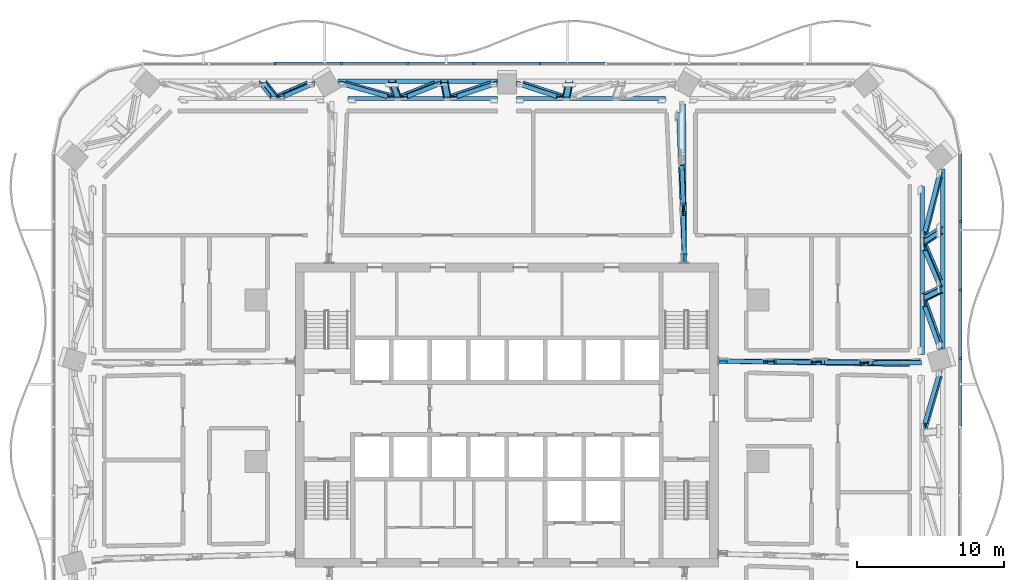
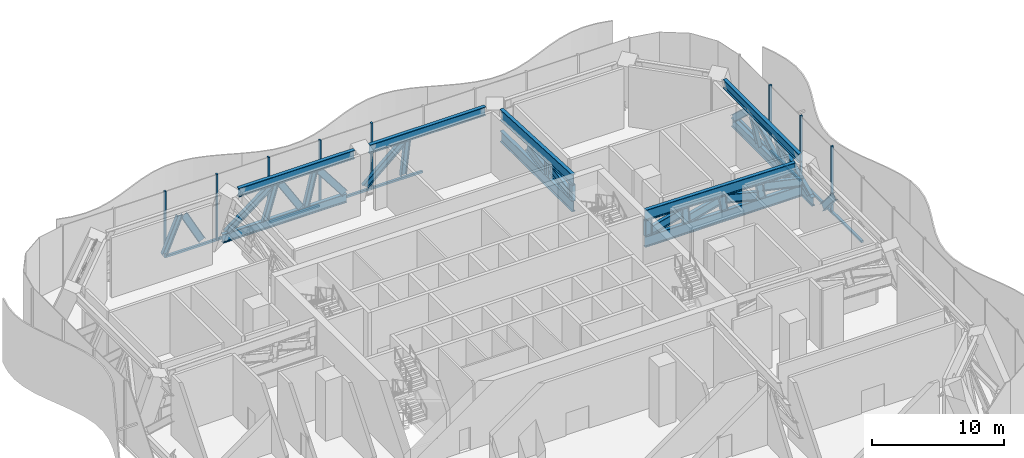
# One storey, part 7 of 32: 53 members, 2 elements without a shape of their own.
"""IFC4 building model written with IfcOpenShell, lengths in metres."""

from ifc_helpers import new_model, si_unit, direction, frame, origin, origin_2d, place, context, subcontext, project, spatial, rectangle, i_section, extrude, material, material_profile, profile_set, type_object, element, aggregate, save


model = new_model("IFC4")

# Units and contexts
model_context = context("Model", 3, precision=1e-05, world=origin(), true_north=direction((0.0, 1.0)))
body_context = subcontext(model_context, "Body", "Model", "MODEL_VIEW")
ifc_project = project(units=[si_unit("LENGTHUNIT", "METRE"), si_unit("AREAUNIT", "SQUARE_METRE"), si_unit("VOLUMEUNIT", "CUBIC_METRE"), si_unit("PLANEANGLEUNIT", "RADIAN"), si_unit("MASSUNIT", "GRAM", prefix="KILO")], contexts=[model_context])

# Site, building, storey
site_placement = place(None, origin())
site = spatial("IfcSite", under=ifc_project, at=site_placement, CompositionType="ELEMENT")
building_placement = place(site_placement, origin())
building = spatial("IfcBuilding", under=site, at=building_placement, Name="Mopane Tessera Tower", CompositionType="ELEMENT")
storey_placement = place(building_placement, frame((0.0, 0.0, 88.60009765625)))
storey = spatial("IfcBuildingStorey", under=building, at=storey_placement, Name="L17", CompositionType="ELEMENT", Elevation=88.60009765625)

# Curtain wall, members
ifc_material_1 = material(Name="Aluminium frame", Category="aluminium")
curtain_wall_type = type_object("IfcCurtainWallType", Name="Plant floor unitised wall", PredefinedType="NOTDEFINED", material=ifc_material_1)
curtain_wall_1_placement = place(storey_placement, origin())
curtain_wall_1 = element("IfcCurtainWall", 1, at=curtain_wall_1_placement, inside=storey, type_object=curtain_wall_type, Name="e:cw:L17:E:0", PredefinedType="NOTDEFINED")
ifc_material_2 = material(Name="Aluminium frame", Category="aluminium")
ifc_material_profile_1 = material_profile(ifc_material_2, rectangle(XDim=0.139892578125, YDim=0.199951171875, at=origin_2d()))
ifc_profile_set_1 = profile_set([ifc_material_profile_1], Name="Aluminium frame")
member_type_1 = type_object("IfcMemberType", Name="Aluminium mullion 140 x 200", PredefinedType="MULLION", material=ifc_profile_set_1)
member_1_placement = place(storey_placement, frame((30.89990234375, 7.0, -0.60009765625), z_axis=(0.0, 0.0, 1.0), x_axis=(0.0, 1.0, 0.0)))
member_1 = element("IfcMember", 2, at=member_1_placement, type_object=member_type_1, Name="e:cw:L17:E:0:mu6", PredefinedType="MULLION", context=body_context, shape_type="SweptSolid", body=[
    extrude(rectangle(XDim=0.139892578125, YDim=0.199951171875, at=origin_2d()), origin(), (0.0, 0.0, 1.0), 6.14990234375),
])
member_2_placement = place(storey_placement, frame((30.89990234375, 11.666748046875, -0.60009765625), z_axis=(0.0, 0.0, 1.0), x_axis=(0.0, 1.0, 0.0)))
member_2 = element("IfcMember", 3, at=member_2_placement, type_object=member_type_1, Name="e:cw:L17:E:0:mu7", PredefinedType="MULLION", context=body_context, shape_type="SweptSolid", body=[
    extrude(rectangle(XDim=0.139892578125, YDim=0.199951171875, at=origin_2d()), origin(), (0.0, 0.0, 1.0), 6.14990234375),
])
member_3_placement = place(storey_placement, frame((30.89990234375, 16.333251953125, -0.60009765625), z_axis=(0.0, 0.0, 1.0), x_axis=(0.0, 1.0, 0.0)))
member_3 = element("IfcMember", 4, at=member_3_placement, type_object=member_type_1, Name="e:cw:L17:E:0:mu8", PredefinedType="MULLION", context=body_context, shape_type="SweptSolid", body=[
    extrude(rectangle(XDim=0.139892578125, YDim=0.199951171875, at=origin_2d()), origin(), (0.0, 0.0, 1.0), 6.14990234375),
])

curtain_wall_2_placement = place(storey_placement, origin())
curtain_wall_2 = element("IfcCurtainWall", 5, at=curtain_wall_2_placement, inside=storey, type_object=curtain_wall_type, Name="e:cw:L17:N:0", PredefinedType="NOTDEFINED")
member_4_placement = place(storey_placement, frame((2.254638671875, 27.10009765625, -0.60009765625), z_axis=(0.0, 0.0, 1.0), x_axis=(-1.0, 0.0, 0.0)))
member_4 = element("IfcMember", 6, at=member_4_placement, type_object=member_type_1, Name="e:cw:L17:N:0:mu5", PredefinedType="MULLION", context=body_context, shape_type="SweptSolid", body=[
    extrude(rectangle(XDim=0.139892578125, YDim=0.199951171875, at=origin_2d()), origin(), (0.0, 0.0, 1.0), 6.14990234375),
])
member_5_placement = place(storey_placement, frame((-2.254638671875, 27.10009765625, -0.60009765625), z_axis=(0.0, 0.0, 1.0), x_axis=(-1.0, 0.0, 0.0)))
member_5 = element("IfcMember", 7, at=member_5_placement, type_object=member_type_1, Name="e:cw:L17:N:0:mu6", PredefinedType="MULLION", context=body_context, shape_type="SweptSolid", body=[
    extrude(rectangle(XDim=0.139892578125, YDim=0.199951171875, at=origin_2d()), origin(), (0.0, 0.0, 1.0), 6.14990234375),
])
member_6_placement = place(storey_placement, frame((-6.763671875, 27.10009765625, -0.60009765625), z_axis=(0.0, 0.0, 1.0), x_axis=(-1.0, 0.0, 0.0)))
member_6 = element("IfcMember", 8, at=member_6_placement, type_object=member_type_1, Name="e:cw:L17:N:0:mu7", PredefinedType="MULLION", context=body_context, shape_type="SweptSolid", body=[
    extrude(rectangle(XDim=0.139892578125, YDim=0.199951171875, at=origin_2d()), origin(), (0.0, 0.0, 1.0), 6.14990234375),
])
member_7_placement = place(storey_placement, frame((-11.272705078125, 27.10009765625, -0.60009765625), z_axis=(0.0, 0.0, 1.0), x_axis=(-1.0, 0.0, 0.0)))
member_7 = element("IfcMember", 9, at=member_7_placement, type_object=member_type_1, Name="e:cw:L17:N:0:mu8", PredefinedType="MULLION", context=body_context, shape_type="SweptSolid", body=[
    extrude(rectangle(XDim=0.139892578125, YDim=0.199951171875, at=origin_2d()), origin(), (0.0, 0.0, 1.0), 6.14990234375),
])
member_8_placement = place(storey_placement, frame((-15.78173828125, 27.10009765625, -0.60009765625), z_axis=(0.0, 0.0, 1.0), x_axis=(-1.0, 0.0, 0.0)))
member_8 = element("IfcMember", 10, at=member_8_placement, type_object=member_type_1, Name="e:cw:L17:N:0:mu9", PredefinedType="MULLION", context=body_context, shape_type="SweptSolid", body=[
    extrude(rectangle(XDim=0.139892578125, YDim=0.199951171875, at=origin_2d()), origin(), (0.0, 0.0, 1.0), 6.14990234375),
])

# Member
ifc_material_3 = material(Name="Aluminium frame", Category="aluminium")
ifc_material_profile_2 = material_profile(ifc_material_3, rectangle(XDim=0.199951171875, YDim=0.179931640625, at=origin_2d()))
ifc_profile_set_2 = profile_set([ifc_material_profile_2], Name="Aluminium frame")
member_type_2 = type_object("IfcMemberType", Name="Aluminium transom 200 x 180", PredefinedType="USERDEFINED", material=ifc_profile_set_2)
member_9_placement = place(storey_placement, frame((30.89990234375, 2.4033203125, -0.510009765625), z_axis=(0.0, 1.0, 0.0), x_axis=(-1.0, 0.0, 0.0)))
member_9 = element("IfcMember", 11, at=member_9_placement, type_object=member_type_2, Name="e:cw:L17:E:0:tr5", ObjectType="TRANSOM", PredefinedType="USERDEFINED", context=body_context, shape_type="SweptSolid", body=[
    extrude(rectangle(XDim=0.199951171875, YDim=0.179931640625, at=origin_2d()), origin(), (0.0, 0.0, 1.0), 4.526611328125),
])

member_10_placement = place(storey_placement, frame((30.89990234375, 7.070068359375, -0.510009765625), z_axis=(0.0, 1.0, 0.0), x_axis=(-1.0, 0.0, 0.0)))
member_10 = element("IfcMember", 12, at=member_10_placement, type_object=member_type_2, Name="e:cw:L17:E:0:tr6", ObjectType="TRANSOM", PredefinedType="USERDEFINED", context=body_context, shape_type="SweptSolid", body=[
    extrude(rectangle(XDim=0.199951171875, YDim=0.179931640625, at=origin_2d()), origin(), (0.0, 0.0, 1.0), 4.526611328125),
])

member_11_placement = place(storey_placement, frame((30.89990234375, 11.736572265625, -0.510009765625), z_axis=(0.0, 1.0, 0.0), x_axis=(-1.0, 0.0, 0.0)))
member_11 = element("IfcMember", 13, at=member_11_placement, type_object=member_type_2, Name="e:cw:L17:E:0:tr7", ObjectType="TRANSOM", PredefinedType="USERDEFINED", context=body_context, shape_type="SweptSolid", body=[
    extrude(rectangle(XDim=0.199951171875, YDim=0.179931640625, at=origin_2d()), origin(), (0.0, 0.0, 1.0), 4.52685546875),
])

member_12_placement = place(storey_placement, frame((30.89990234375, 16.4033203125, -0.510009765625), z_axis=(0.0, 1.0, 0.0), x_axis=(-1.0, 0.0, 0.0)))
member_12 = element("IfcMember", 14, at=member_12_placement, type_object=member_type_2, Name="e:cw:L17:E:0:tr8", ObjectType="TRANSOM", PredefinedType="USERDEFINED", context=body_context, shape_type="SweptSolid", body=[
    extrude(rectangle(XDim=0.199951171875, YDim=0.179931640625, at=origin_2d()), origin(), (0.0, 0.0, 1.0), 4.526611328125),
])

aggregate(curtain_wall_1, [member_1, member_2, member_3, member_9, member_10, member_11, member_12])

member_13_placement = place(storey_placement, frame((6.693603515625, 27.10009765625, -0.510009765625), z_axis=(-1.0, 0.0, 0.0), x_axis=(0.0, -1.0, 0.0)))
member_13 = element("IfcMember", 15, at=member_13_placement, type_object=member_type_2, Name="e:cw:L17:N:0:tr4", ObjectType="TRANSOM", PredefinedType="USERDEFINED", context=body_context, shape_type="SweptSolid", body=[
    extrude(rectangle(XDim=0.199951171875, YDim=0.179931640625, at=origin_2d()), origin(), (0.0, 0.0, 1.0), 4.369140625),
])

member_14_placement = place(storey_placement, frame((2.1845703125, 27.10009765625, -0.510009765625), z_axis=(-1.0, 0.0, 0.0), x_axis=(0.0, -1.0, 0.0)))
member_14 = element("IfcMember", 16, at=member_14_placement, type_object=member_type_2, Name="e:cw:L17:N:0:tr5", ObjectType="TRANSOM", PredefinedType="USERDEFINED", context=body_context, shape_type="SweptSolid", body=[
    extrude(rectangle(XDim=0.199951171875, YDim=0.179931640625, at=origin_2d()), origin(), (0.0, 0.0, 1.0), 4.369140625),
])

member_15_placement = place(storey_placement, frame((-2.324462890625, 27.10009765625, -0.510009765625), z_axis=(-1.0, 0.0, 0.0), x_axis=(0.0, -1.0, 0.0)))
member_15 = element("IfcMember", 17, at=member_15_placement, type_object=member_type_2, Name="e:cw:L17:N:0:tr6", ObjectType="TRANSOM", PredefinedType="USERDEFINED", context=body_context, shape_type="SweptSolid", body=[
    extrude(rectangle(XDim=0.199951171875, YDim=0.179931640625, at=origin_2d()), origin(), (0.0, 0.0, 1.0), 4.369140625),
])

member_16_placement = place(storey_placement, frame((-6.833740234375, 27.10009765625, -0.510009765625), z_axis=(-1.0, 0.0, 0.0), x_axis=(0.0, -1.0, 0.0)))
member_16 = element("IfcMember", 18, at=member_16_placement, type_object=member_type_2, Name="e:cw:L17:N:0:tr7", ObjectType="TRANSOM", PredefinedType="USERDEFINED", context=body_context, shape_type="SweptSolid", body=[
    extrude(rectangle(XDim=0.199951171875, YDim=0.179931640625, at=origin_2d()), origin(), (0.0, 0.0, 1.0), 4.368896484375),
])

member_17_placement = place(storey_placement, frame((-11.3427734375, 27.10009765625, -0.510009765625), z_axis=(-1.0, 0.0, 0.0), x_axis=(0.0, -1.0, 0.0)))
member_17 = element("IfcMember", 19, at=member_17_placement, type_object=member_type_2, Name="e:cw:L17:N:0:tr8", ObjectType="TRANSOM", PredefinedType="USERDEFINED", context=body_context, shape_type="SweptSolid", body=[
    extrude(rectangle(XDim=0.199951171875, YDim=0.179931640625, at=origin_2d()), origin(), (0.0, 0.0, 1.0), 4.369140625),
])

aggregate(curtain_wall_2, [member_4, member_5, member_6, member_7, member_8, member_13, member_14, member_15, member_16, member_17])

# Members
ifc_material_4 = material(Name="Structural steel S460", Category="steel")
ifc_material_profile_3 = material_profile(ifc_material_4, i_section(OverallWidth=0.302978515625, OverallDepth=0.81396484375, WebThickness=0.02099609375, FlangeThickness=0.0400390625, FilletRadius=0.030029296875, at=origin_2d()))
ifc_profile_set_3 = profile_set([ifc_material_profile_3], Name="Structural steel S460")
member_type_3 = type_object("IfcMemberType", Name="Belt truss chord HE 800 M", PredefinedType="CHORD", material=ifc_profile_set_3)
member_18_placement = place(storey_placement, frame((29.681396484375, 7.684814453125, 0.406982421875), z_axis=(0.0, 1.0, 0.0), x_axis=(-1.0, 0.0, 0.0)))
element("IfcMember", 20, at=member_18_placement, inside=storey, type_object=member_type_3, Name="Belt truss bottom chord L17 E2-E3", PredefinedType="CHORD", context=body_context, shape_type="SweptSolid", body=[
    extrude(i_section(OverallWidth=0.302978515625, OverallDepth=0.81396484375, WebThickness=0.02099609375, FlangeThickness=0.0400390625, FilletRadius=0.030029296875, at=origin_2d()), origin(), (0.0, 0.0, 1.0), 12.22802734375),
])
member_19_placement = place(storey_placement, frame((28.300048828125, 7.290283203125, 5.142822265625), z_axis=(0.0, 1.0, 0.0), x_axis=(-1.0, 0.0, 0.0)))
element("IfcMember", 21, at=member_19_placement, inside=storey, type_object=member_type_3, Name="Belt truss top chord L17 E2-E3", PredefinedType="CHORD", context=body_context, shape_type="SweptSolid", body=[
    extrude(i_section(OverallWidth=0.302978515625, OverallDepth=0.81396484375, WebThickness=0.02099609375, FlangeThickness=0.0400390625, FilletRadius=0.030029296875, at=origin_2d()), origin(), (0.0, 0.0, 1.0), 11.438720703125),
])
member_20_placement = place(storey_placement, frame((10.8095703125, 24.71435546875, 5.142822265625), z_axis=(-1.0, 0.0, 0.0), x_axis=(0.0, -1.0, 0.0)))
element("IfcMember", 22, at=member_20_placement, inside=storey, type_object=member_type_3, Name="Belt truss top chord L17 N1-N2", PredefinedType="CHORD", context=body_context, shape_type="SweptSolid", body=[
    extrude(i_section(OverallWidth=0.302978515625, OverallDepth=0.81396484375, WebThickness=0.02099609375, FlangeThickness=0.0400390625, FilletRadius=0.030029296875, at=origin_2d()), origin(), (0.0, 0.0, 1.0), 10.16015625),
])
member_21_placement = place(storey_placement, frame((-0.6494140625, 25.898193359375, 0.406982421875), z_axis=(-1.0, 0.0, 0.0), x_axis=(0.0, -1.0, 0.0)))
element("IfcMember", 23, at=member_21_placement, inside=storey, type_object=member_type_3, Name="Belt truss bottom chord L17 N2-N3", PredefinedType="CHORD", context=body_context, shape_type="SweptSolid", body=[
    extrude(i_section(OverallWidth=0.302978515625, OverallDepth=0.81396484375, WebThickness=0.02099609375, FlangeThickness=0.0400390625, FilletRadius=0.030029296875, at=origin_2d()), origin(), (0.0, 0.0, 1.0), 10.850830078125),
])
member_22_placement = place(storey_placement, frame((-0.6494140625, 24.71435546875, 5.142822265625), z_axis=(-1.0, 0.0, 0.0), x_axis=(0.0, -1.0, 0.0)))
element("IfcMember", 24, at=member_22_placement, inside=storey, type_object=member_type_3, Name="Belt truss top chord L17 N2-N3", PredefinedType="CHORD", context=body_context, shape_type="SweptSolid", body=[
    extrude(i_section(OverallWidth=0.302978515625, OverallDepth=0.81396484375, WebThickness=0.02099609375, FlangeThickness=0.0400390625, FilletRadius=0.030029296875, at=origin_2d()), origin(), (0.0, 0.0, 1.0), 10.16015625),
])
ifc_material_5 = material(Name="Structural steel S460", Category="steel")
ifc_material_profile_4 = material_profile(ifc_material_5, i_section(OverallWidth=0.300048828125, OverallDepth=0.60009765625, WebThickness=0.015380859375, FlangeThickness=0.030029296875, FilletRadius=0.027099609375, at=origin_2d()))
ifc_profile_set_4 = profile_set([ifc_material_profile_4], Name="Structural steel S460")
member_type_4 = type_object("IfcMemberType", Name="Belt truss diagonal HE 600 B", PredefinedType="BRACE", material=ifc_profile_set_4)
member_23_placement = place(storey_placement, frame((28.4716796875, 2.379150390625, 4.553955078125), z_axis=(0.200932231115, 0.696479987173, -0.688869992064), x_axis=(-0.979605144172, 0.14286116767, -0.141295606028)))
element("IfcMember", 25, at=member_23_placement, inside=storey, type_object=member_type_4, Name="Belt truss diagonal 2 L17 E1-E2", PredefinedType="BRACE", context=body_context, shape_type="SweptSolid", body=[
    extrude(i_section(OverallWidth=0.300048828125, OverallDepth=0.60009765625, WebThickness=0.015380859375, FlangeThickness=0.030029296875, FilletRadius=0.027099609375, at=origin_2d()), origin(), (0.0, 0.0, 1.0), 5.1650390625),
])
member_24_placement = place(storey_placement, frame((29.5107421875, 7.861572265625, 0.991943359375), z_axis=(-0.220504789335, 0.616274653011, 0.756031209632), x_axis=(-0.975385891778, -0.139320539279, -0.170915620863)))
element("IfcMember", 26, at=member_24_placement, inside=storey, type_object=member_type_4, Name="Belt truss diagonal 0 L17 E2-E3", PredefinedType="BRACE", context=body_context, shape_type="SweptSolid", body=[
    extrude(i_section(OverallWidth=0.300048828125, OverallDepth=0.60009765625, WebThickness=0.015380859375, FlangeThickness=0.030029296875, FilletRadius=0.027099609375, at=origin_2d()), origin(), (0.0, 0.0, 1.0), 4.716552734375),
])
member_25_placement = place(storey_placement, frame((29.513916015625, 12.13525390625, 0.98095703125), z_axis=(-0.233796253247, 0.550179423763, 0.8016494955), x_axis=(-0.972285612305, -0.132303591116, -0.192760078548)))
element("IfcMember", 27, at=member_25_placement, inside=storey, type_object=member_type_4, Name="Belt truss diagonal 1 L17 E2-E3", PredefinedType="BRACE", context=body_context, shape_type="SweptSolid", body=[
    extrude(i_section(OverallWidth=0.300048828125, OverallDepth=0.60009765625, WebThickness=0.015380859375, FlangeThickness=0.030029296875, FilletRadius=0.027099609375, at=origin_2d()), origin(), (0.0, 0.0, 1.0), 4.4755859375),
])
member_26_placement = place(storey_placement, frame((28.470703125, 15.44384765625, 4.557861328125), z_axis=(0.188412877586, 0.739719572213, -0.645999645545), x_axis=(-0.982089908077, 0.141916811889, -0.12393155755)))
element("IfcMember", 28, at=member_26_placement, inside=storey, type_object=member_type_4, Name="Belt truss diagonal 2 L17 E2-E3", PredefinedType="BRACE", context=body_context, shape_type="SweptSolid", body=[
    extrude(i_section(OverallWidth=0.300048828125, OverallDepth=0.60009765625, WebThickness=0.015380859375, FlangeThickness=0.030029296875, FilletRadius=0.027099609375, at=origin_2d()), origin(), (0.0, 0.0, 1.0), 5.52001953125),
])
for number, where, z_axis, x_axis, name in (
    (29, (3.62939453125, 24.855224609375, 4.57861328125), (-0.593142183099, 0.195264880525, -0.781059522099), (-0.118076767336, -0.980750542203, -0.155519294574), "Belt truss diagonal 2 L17 N1-N2"),
    (30, (-0.889892578125, 25.757080078125, 0.97119140625), (-0.593142183099, -0.195264880525, 0.781059522099), (0.118076767336, -0.980750542203, -0.155519294574), "Belt truss diagonal 0 L17 N2-N3"),
):
    element("IfcMember", number, at=place(storey_placement, frame(where, z_axis=z_axis, x_axis=x_axis)), inside=storey, type_object=member_type_4, Name=name, PredefinedType="BRACE", context=body_context, shape_type="SweptSolid", body=[
        extrude(i_section(OverallWidth=0.300048828125, OverallDepth=0.60009765625, WebThickness=0.015380859375, FlangeThickness=0.030029296875, FilletRadius=0.027099609375, at=origin_2d()), origin(), (0.0, 0.0, 1.0), 4.61865234375),
    ])
member_27_placement = place(storey_placement, frame((-4.71337890625, 25.760498046875, 0.957763671875), z_axis=(-0.525726153258, -0.206287779845, 0.825261996984), x_axis=(0.110802820524, -0.978491364556, -0.174003978267)))
element("IfcMember", 31, at=member_27_placement, inside=storey, type_object=member_type_4, Name="Belt truss diagonal 1 L17 N2-N3", PredefinedType="BRACE", context=body_context, shape_type="SweptSolid", body=[
    extrude(i_section(OverallWidth=0.300048828125, OverallDepth=0.60009765625, WebThickness=0.015380859375, FlangeThickness=0.030029296875, FilletRadius=0.027099609375, at=origin_2d()), origin(), (0.0, 0.0, 1.0), 4.40380859375),
])
member_28_placement = place(storey_placement, frame((-7.91064453125, 24.855224609375, 4.57861328125), z_axis=(-0.658870753791, 0.182448917879, -0.729795671516), x_axis=(-0.122259863731, -0.983215333665, -0.135425748537)))
element("IfcMember", 32, at=member_28_placement, inside=storey, type_object=member_type_4, Name="Belt truss diagonal 2 L17 N2-N3", PredefinedType="BRACE", context=body_context, shape_type="SweptSolid", body=[
    extrude(i_section(OverallWidth=0.300048828125, OverallDepth=0.60009765625, WebThickness=0.015380859375, FlangeThickness=0.030029296875, FilletRadius=0.027099609375, at=origin_2d()), origin(), (0.0, 0.0, 1.0), 4.943115234375),
])
member_29_placement = place(storey_placement, frame((-13.355224609375, 25.7587890625, 0.96484375), z_axis=(-0.486371976666, -0.211915951751, 0.847663807006), x_axis=(0.105491827337, -0.97728789438, -0.183792942911)))
element("IfcMember", 33, at=member_29_placement, inside=storey, type_object=member_type_4, Name="Belt truss diagonal 0 L17 N3-N4", PredefinedType="BRACE", context=body_context, shape_type="SweptSolid", body=[
    extrude(i_section(OverallWidth=0.300048828125, OverallDepth=0.60009765625, WebThickness=0.015380859375, FlangeThickness=0.030029296875, FilletRadius=0.027099609375, at=origin_2d()), origin(), (0.0, 0.0, 1.0), 4.270751953125),
])
ifc_material_6 = material(Name="Structural steel S460", Category="steel")
ifc_material_profile_5 = material_profile(ifc_material_6, i_section(OverallWidth=0.300048828125, OverallDepth=0.5, WebThickness=0.014404296875, FlangeThickness=0.028076171875, FilletRadius=0.027099609375, at=origin_2d()))
ifc_profile_set_5 = profile_set([ifc_material_profile_5], Name="Structural steel S460")
member_type_5 = type_object("IfcMemberType", Name="Belt truss post HE 500 B", PredefinedType="POST", material=ifc_profile_set_5)
member_30_placement = place(storey_placement, frame((29.562744140625, 11.712646484375, 0.81396484375), z_axis=(-0.277512695679, -0.133959393433, 0.951336735677), x_axis=(-0.96072196985, 0.038715535567, -0.274798842708)))
element("IfcMember", 34, at=member_30_placement, inside=storey, type_object=member_type_5, Name="Belt truss post 1 L17 E2-E3", PredefinedType="POST", context=body_context, shape_type="SweptSolid", body=[
    extrude(i_section(OverallWidth=0.300048828125, OverallDepth=0.5, WebThickness=0.014404296875, FlangeThickness=0.028076171875, FilletRadius=0.027099609375, at=origin_2d()), origin(), (0.0, 0.0, 1.0), 4.12255859375),
])
member_31_placement = place(storey_placement, frame((29.562744140625, 15.73486328125, 0.81396484375), z_axis=(-0.275529715303, -0.178688605379, 0.944538913065), x_axis=(-0.961292554793, 0.051207070691, -0.270729496012)))
element("IfcMember", 35, at=member_31_placement, inside=storey, type_object=member_type_5, Name="Belt truss post 2 L17 E2-E3", PredefinedType="POST", context=body_context, shape_type="SweptSolid", body=[
    extrude(i_section(OverallWidth=0.300048828125, OverallDepth=0.5, WebThickness=0.014404296875, FlangeThickness=0.028076171875, FilletRadius=0.027099609375, at=origin_2d()), origin(), (0.0, 0.0, 1.0), 4.152099609375),
])
for number, where, z_axis, x_axis, name in (
    (36, (4.2548828125, 25.79638671875, 0.81396484375), (-0.048979720159, -0.242244527288, 0.96897810915), (0.012139383432, -0.97021522425, -0.24194018683), "Belt truss post 2 L17 N1-N2"),
    (37, (-4.2548828125, 25.79638671875, 0.81396484375), (0.048979720159, -0.242244527288, 0.96897810915), (-0.012139383432, -0.97021522425, -0.24194018683), "Belt truss post 1 L17 N2-N3"),
):
    element("IfcMember", number, at=place(storey_placement, frame(where, z_axis=z_axis, x_axis=x_axis)), inside=storey, type_object=member_type_5, Name=name, PredefinedType="POST", context=body_context, shape_type="SweptSolid", body=[
        extrude(i_section(OverallWidth=0.300048828125, OverallDepth=0.5, WebThickness=0.014404296875, FlangeThickness=0.028076171875, FilletRadius=0.027099609375, at=origin_2d()), origin(), (0.0, 0.0, 1.0), 4.04736328125),
    ])
member_32_placement = place(storey_placement, frame((-7.8251953125, 25.79638671875, 0.81396484375), z_axis=(0.089801461096, -0.241555705131, 0.966222820525), x_axis=(-0.022278065157, -0.970386951601, -0.240526198105)))
element("IfcMember", 38, at=member_32_placement, inside=storey, type_object=member_type_5, Name="Belt truss post 2 L17 N2-N3", PredefinedType="POST", context=body_context, shape_type="SweptSolid", body=[
    extrude(i_section(OverallWidth=0.300048828125, OverallDepth=0.5, WebThickness=0.014404296875, FlangeThickness=0.028076171875, FilletRadius=0.027099609375, at=origin_2d()), origin(), (0.0, 0.0, 1.0), 4.05908203125),
])
member_33_placement = place(storey_placement, frame((-16.61669921875, 25.79638671875, 0.81396484375), z_axis=(0.187971798215, -0.238212288303, 0.952849153212), x_axis=(-0.046211648461, -0.971213104539, -0.233686946829)))
element("IfcMember", 39, at=member_33_placement, inside=storey, type_object=member_type_5, Name="Belt truss post 1 L17 N3-N4", PredefinedType="POST", context=body_context, shape_type="SweptSolid", body=[
    extrude(i_section(OverallWidth=0.300048828125, OverallDepth=0.5, WebThickness=0.014404296875, FlangeThickness=0.028076171875, FilletRadius=0.027099609375, at=origin_2d()), origin(), (0.0, 0.0, 1.0), 4.115966796875),
])
ifc_material_7 = material(Name="Structural steel S460", Category="steel")
ifc_material_profile_6 = material_profile(ifc_material_7, i_section(OverallWidth=0.302001953125, OverallDepth=1.008056640625, WebThickness=0.02099609375, FlangeThickness=0.0400390625, FilletRadius=0.030029296875, at=origin_2d()))
ifc_profile_set_6 = profile_set([ifc_material_profile_6], Name="Structural steel S460")
member_type_6 = type_object("IfcMemberType", Name="Outrigger truss chord HE 1000 M", PredefinedType="CHORD", material=ifc_profile_set_6)
member_34_placement = place(storey_placement, frame((14.4150390625, 6.824951171875, 2.60400390625), z_axis=(0.999995893946, -0.002865674752, 0.0), x_axis=(0.002865674752, 0.999995893946, 0.0)))
element("IfcMember", 40, at=member_34_placement, inside=storey, type_object=member_type_6, Name="Outrigger truss bottom chord L17 E2", PredefinedType="CHORD", context=body_context, shape_type="SweptSolid", body=[
    extrude(i_section(OverallWidth=0.302001953125, OverallDepth=1.008056640625, WebThickness=0.02099609375, FlangeThickness=0.0400390625, FilletRadius=0.030029296875, at=origin_2d()), origin(), (0.0, 0.0, 1.0), 13.71630859375),
])
member_35_placement = place(storey_placement, frame((14.4150390625, 6.82470703125, 5.0458984375), z_axis=(0.999844885745, -0.017612621886, 0.0), x_axis=(0.017612621886, 0.999844885745, 0.0)))
element("IfcMember", 41, at=member_35_placement, inside=storey, type_object=member_type_6, Name="Outrigger truss top chord L17 E2", PredefinedType="CHORD", context=body_context, shape_type="SweptSolid", body=[
    extrude(i_section(OverallWidth=0.302001953125, OverallDepth=1.008056640625, WebThickness=0.02099609375, FlangeThickness=0.0400390625, FilletRadius=0.030029296875, at=origin_2d()), origin(), (0.0, 0.0, 1.0), 13.002197265625),
])
member_36_placement = place(storey_placement, frame((12.093505859375, 13.515380859375, 2.60400390625), z_axis=(-0.006208676502, 0.999980725982, 0.0), x_axis=(-0.999980725982, -0.006208676502, 0.0)))
element("IfcMember", 42, at=member_36_placement, inside=storey, type_object=member_type_6, Name="Outrigger truss bottom chord L17 N1", PredefinedType="CHORD", context=body_context, shape_type="SweptSolid", body=[
    extrude(i_section(OverallWidth=0.302001953125, OverallDepth=1.008056640625, WebThickness=0.02099609375, FlangeThickness=0.0400390625, FilletRadius=0.030029296875, at=origin_2d()), origin(), (0.0, 0.0, 1.0), 10.813720703125),
])
member_37_placement = place(storey_placement, frame((12.093017578125, 13.515380859375, 5.0458984375), z_axis=(-0.038204721055, 0.999269933146, 0.0), x_axis=(-0.999269933146, -0.038204721055, 0.0)))
element("IfcMember", 43, at=member_37_placement, inside=storey, type_object=member_type_6, Name="Outrigger truss top chord L17 N1", PredefinedType="CHORD", context=body_context, shape_type="SweptSolid", body=[
    extrude(i_section(OverallWidth=0.302001953125, OverallDepth=1.008056640625, WebThickness=0.02099609375, FlangeThickness=0.0400390625, FilletRadius=0.030029296875, at=origin_2d()), origin(), (0.0, 0.0, 1.0), 10.262939453125),
])
ifc_material_8 = material(Name="Structural steel S460", Category="steel")
ifc_material_profile_7 = material_profile(ifc_material_8, i_section(OverallWidth=0.300048828125, OverallDepth=0.800048828125, WebThickness=0.017578125, FlangeThickness=0.032958984375, FilletRadius=0.030029296875, at=origin_2d()))
ifc_profile_set_7 = profile_set([ifc_material_profile_7], Name="Structural steel S460")
member_type_7 = type_object("IfcMemberType", Name="Outrigger truss diagonal HE 800 B", PredefinedType="BRACE", material=ifc_profile_set_7)
member_38_placement = place(storey_placement, frame((15.065673828125, 6.819580078125, 3.484375), z_axis=(0.965480382432, -0.012686505508, 0.260166646049), x_axis=(0.012438699351, 0.99991925884, 0.002598953359)))
element("IfcMember", 44, at=member_38_placement, inside=storey, type_object=member_type_7, Name="Outrigger truss diagonal 0 L17 E2", PredefinedType="BRACE", context=body_context, shape_type="SweptSolid", body=[
    extrude(i_section(OverallWidth=0.300048828125, OverallDepth=0.800048828125, WebThickness=0.017578125, FlangeThickness=0.032958984375, FilletRadius=0.030029296875, at=origin_2d()), origin(), (0.0, 0.0, 1.0), 2.6171875),
])
member_39_placement = place(storey_placement, frame((18.348388671875, 6.793212890625, 3.484375), z_axis=(0.964204869632, -0.017927665554, 0.264551636144), x_axis=(0.017483938821, 0.999839014345, 0.004032031406)))
element("IfcMember", 45, at=member_39_placement, inside=storey, type_object=member_type_7, Name="Outrigger truss diagonal 1 L17 E2", PredefinedType="BRACE", context=body_context, shape_type="SweptSolid", body=[
    extrude(i_section(OverallWidth=0.300048828125, OverallDepth=0.800048828125, WebThickness=0.017578125, FlangeThickness=0.032958984375, FilletRadius=0.030029296875, at=origin_2d()), origin(), (0.0, 0.0, 1.0), 2.57373046875),
])
member_40_placement = place(storey_placement, frame((21.53125, 6.738525390625, 4.165283203125), z_axis=(0.969013553546, 0.002833890853, -0.246991299656), x_axis=(-0.002569320796, 0.999995728423, 0.001393458284)))
element("IfcMember", 46, at=member_40_placement, inside=storey, type_object=member_type_7, Name="Outrigger truss diagonal 2 L17 E2", PredefinedType="BRACE", context=body_context, shape_type="SweptSolid", body=[
    extrude(i_section(OverallWidth=0.300048828125, OverallDepth=0.800048828125, WebThickness=0.017578125, FlangeThickness=0.032958984375, FilletRadius=0.030029296875, at=origin_2d()), origin(), (0.0, 0.0, 1.0), 2.7568359375),
])
member_41_placement = place(storey_placement, frame((24.758056640625, 6.699462890625, 4.161376953125), z_axis=(0.976299250364, 0.006112848851, -0.216338639214), x_axis=(-0.00583382792, 0.999981123825, 0.001928326997)))
element("IfcMember", 47, at=member_41_placement, inside=storey, type_object=member_type_7, Name="Outrigger truss diagonal 3 L17 E2", PredefinedType="BRACE", context=body_context, shape_type="SweptSolid", body=[
    extrude(i_section(OverallWidth=0.300048828125, OverallDepth=0.800048828125, WebThickness=0.017578125, FlangeThickness=0.032958984375, FilletRadius=0.030029296875, at=origin_2d()), origin(), (0.0, 0.0, 1.0), 3.474609375),
])
member_42_placement = place(storey_placement, frame((12.082275390625, 14.158935546875, 3.48681640625), z_axis=(-0.027604645751, 0.96950329089, 0.243518690222), x_axis=(-0.999617758024, -0.027144275975, -0.005246534501)))
element("IfcMember", 48, at=member_42_placement, inside=storey, type_object=member_type_7, Name="Outrigger truss diagonal 0 L17 N1", PredefinedType="BRACE", context=body_context, shape_type="SweptSolid", body=[
    extrude(i_section(OverallWidth=0.300048828125, OverallDepth=0.800048828125, WebThickness=0.017578125, FlangeThickness=0.032958984375, FilletRadius=0.030029296875, at=origin_2d()), origin(), (0.0, 0.0, 1.0), 2.777099609375),
])
member_43_placement = place(storey_placement, frame((12.0224609375, 17.59765625, 3.48681640625), z_axis=(-0.038725697794, 0.968053009056, 0.247737142931), x_axis=(-0.999248692622, -0.037898635259, -0.008108251216)))
element("IfcMember", 49, at=member_43_placement, inside=storey, type_object=member_type_7, Name="Outrigger truss diagonal 1 L17 N1", PredefinedType="BRACE", context=body_context, shape_type="SweptSolid", body=[
    extrude(i_section(OverallWidth=0.300048828125, OverallDepth=0.800048828125, WebThickness=0.017578125, FlangeThickness=0.032958984375, FilletRadius=0.030029296875, at=origin_2d()), origin(), (0.0, 0.0, 1.0), 2.729736328125),
])
ifc_material_9 = material(Name="Structural steel S460", Category="steel")
ifc_material_profile_8 = material_profile(ifc_material_9, i_section(OverallWidth=0.300048828125, OverallDepth=0.60009765625, WebThickness=0.015380859375, FlangeThickness=0.030029296875, FilletRadius=0.027099609375, at=origin_2d()))
ifc_profile_set_8 = profile_set([ifc_material_profile_8], Name="Structural steel S460")
member_type_8 = type_object("IfcMemberType", Name="Outrigger truss post HE 600 B", PredefinedType="POST", material=ifc_profile_set_8)
member_44_placement = place(storey_placement, frame((14.712646484375, 6.8232421875, 3.10791015625), z_axis=(-0.0062988085, -0.001872618743, 0.999978408922), x_axis=(-0.007818374207, 0.999967773688, 0.001823351322)))
element("IfcMember", 50, at=member_44_placement, inside=storey, type_object=member_type_8, Name="Outrigger truss post 0 L17 E2", PredefinedType="POST", context=body_context, shape_type="SweptSolid", body=[
    extrude(i_section(OverallWidth=0.300048828125, OverallDepth=0.60009765625, WebThickness=0.015380859375, FlangeThickness=0.030029296875, FilletRadius=0.027099609375, at=origin_2d()), origin(), (0.0, 0.0, 1.0), 1.43408203125),
])
member_45_placement = place(storey_placement, frame((18.020263671875, 6.803955078125, 3.10791015625), z_axis=(-0.072655227453, -0.020710134928, 0.997142070236), x_axis=(0.001963288729, 0.999779476943, 0.020907964549)))
element("IfcMember", 51, at=member_45_placement, inside=storey, type_object=member_type_8, Name="Outrigger truss post 1 L17 E2", PredefinedType="POST", context=body_context, shape_type="SweptSolid", body=[
    extrude(i_section(OverallWidth=0.300048828125, OverallDepth=0.60009765625, WebThickness=0.015380859375, FlangeThickness=0.030029296875, FilletRadius=0.027099609375, at=origin_2d()), origin(), (0.0, 0.0, 1.0), 1.438232421875),
])
member_46_placement = place(storey_placement, frame((21.327880859375, 6.784912109375, 3.10791015625), z_axis=(-0.137819545659, -0.039425151203, 0.989672385331), x_axis=(-0.002944064596, 0.99921935938, 0.039395486084)))
element("IfcMember", 52, at=member_46_placement, inside=storey, type_object=member_type_8, Name="Outrigger truss post 2 L17 E2", PredefinedType="POST", context=body_context, shape_type="SweptSolid", body=[
    extrude(i_section(OverallWidth=0.300048828125, OverallDepth=0.60009765625, WebThickness=0.015380859375, FlangeThickness=0.030029296875, FilletRadius=0.027099609375, at=origin_2d()), origin(), (0.0, 0.0, 1.0), 1.448974609375),
])
member_47_placement = place(storey_placement, frame((24.6357421875, 6.765625, 3.10791015625), z_axis=(-0.201423424104, -0.057430645716, 0.977819167922), x_axis=(-0.008306996181, 0.998343900376, 0.056924954077)))
element("IfcMember", 53, at=member_47_placement, inside=storey, type_object=member_type_8, Name="Outrigger truss post 3 L17 E2", PredefinedType="POST", context=body_context, shape_type="SweptSolid", body=[
    extrude(i_section(OverallWidth=0.300048828125, OverallDepth=0.60009765625, WebThickness=0.015380859375, FlangeThickness=0.030029296875, FilletRadius=0.027099609375, at=origin_2d()), origin(), (0.0, 0.0, 1.0), 1.466552734375),
])
member_48_placement = place(storey_placement, frame((12.08984375, 13.81298828125, 3.10791015625), z_axis=(-0.0039154393, -0.006809459651, 0.999969149821), x_axis=(-0.999914917197, -0.012416124762, -0.003999776657)))
element("IfcMember", 54, at=member_48_placement, inside=storey, type_object=member_type_8, Name="Outrigger truss post 0 L17 N1", PredefinedType="POST", context=body_context, shape_type="SweptSolid", body=[
    extrude(i_section(OverallWidth=0.300048828125, OverallDepth=0.60009765625, WebThickness=0.015380859375, FlangeThickness=0.030029296875, FilletRadius=0.027099609375, at=origin_2d()), origin(), (0.0, 0.0, 1.0), 1.43408203125),
])
member_49_placement = place(storey_placement, frame((12.046142578125, 17.27978515625, 3.10791015625), z_axis=(-0.0467838403, -0.080176653848, 0.995682166389), x_axis=(-0.998886724344, -0.002280567981, -0.047118053213)))
element("IfcMember", 55, at=member_49_placement, inside=storey, type_object=member_type_8, Name="Outrigger truss post 1 L17 N1", PredefinedType="POST", context=body_context, shape_type="SweptSolid", body=[
    extrude(i_section(OverallWidth=0.300048828125, OverallDepth=0.60009765625, WebThickness=0.015380859375, FlangeThickness=0.030029296875, FilletRadius=0.027099609375, at=origin_2d()), origin(), (0.0, 0.0, 1.0), 1.440185546875),
])

save(model, "model.ifc")
